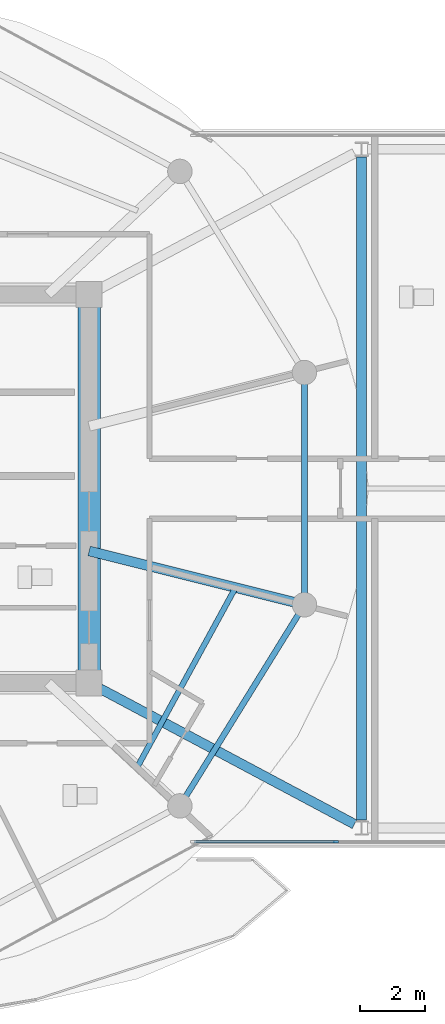
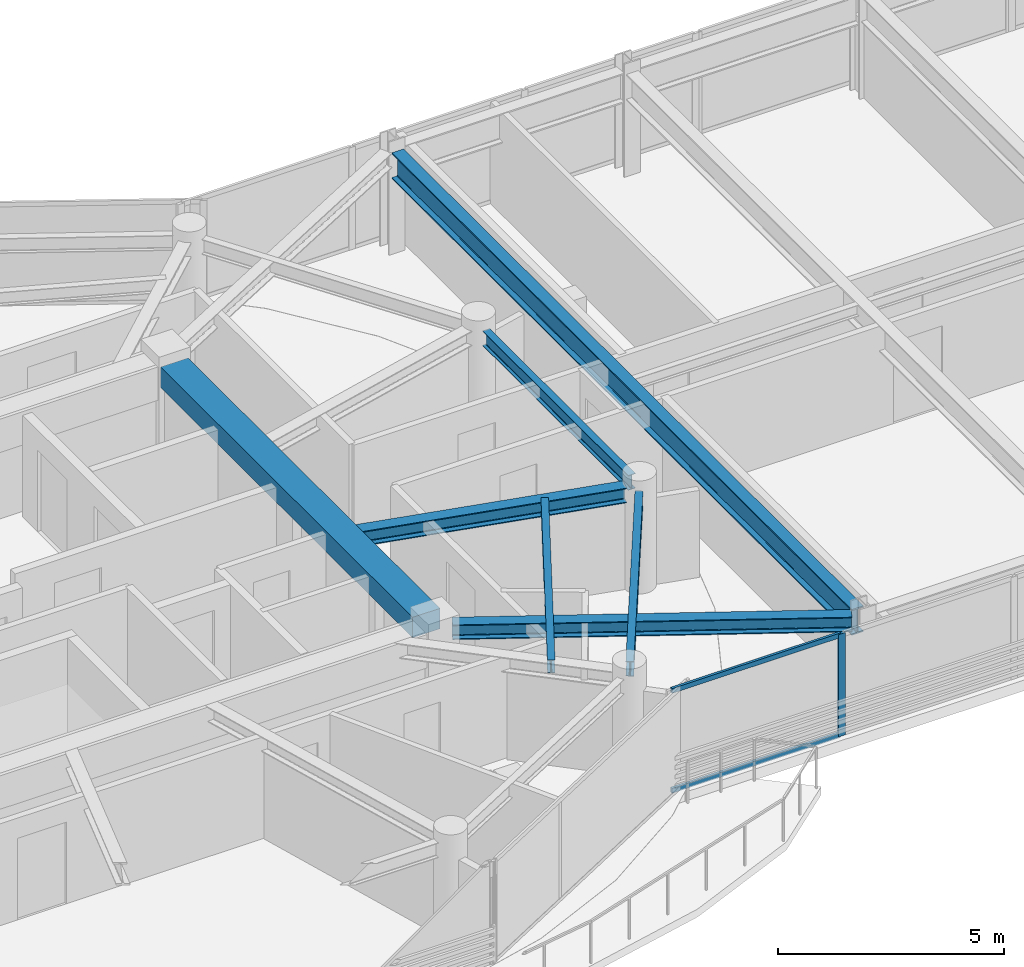
# One storey, part 4 of 24: 7 beams, 3 members, 1 element without a shape of its own.
"""IFC4 building model written with IfcOpenShell, lengths in metres."""

from ifc_helpers import new_model, si_unit, direction, frame, origin, origin_2d, place, context, subcontext, project, spatial, rectangle, i_section, extrude, source, transform, mapped, material, layer, layer_set, material_profile, profile_set, type_object, type_shapes, element, aggregate, save


model = new_model("IFC4")

# Units and contexts
model_context = context("Model", 3, precision=1e-05, world=origin(), true_north=direction((0.0, 1.0)))
body_context = subcontext(model_context, "Body", "Model", "MODEL_VIEW")
ifc_project = project(units=[si_unit("LENGTHUNIT", "METRE"), si_unit("AREAUNIT", "SQUARE_METRE"), si_unit("VOLUMEUNIT", "CUBIC_METRE"), si_unit("PLANEANGLEUNIT", "RADIAN"), si_unit("MASSUNIT", "GRAM", prefix="KILO")], contexts=[model_context])

# Site, building, storey
site_placement = place(None, origin())
site = spatial("IfcSite", under=ifc_project, at=site_placement, CompositionType="ELEMENT")
building_placement = place(site_placement, origin())
building = spatial("IfcBuilding", under=site, at=building_placement, Name="Norrkilde Senior Care Towers", CompositionType="ELEMENT")
storey_placement = place(building_placement, frame((0.0, 0.0, 226.10009765625)))
storey = spatial("IfcBuildingStorey", under=building, at=storey_placement, Name="L70", CompositionType="ELEMENT", Elevation=226.10009765625)

# Beams
ifc_material_1 = material(Name="Concrete C60/75", Category="concrete")
ifc_material_profile_1 = material_profile(ifc_material_1, rectangle(XDim=0.699951171875, YDim=0.550048828125, at=origin_2d()), Name="RC BM 700x550")
ifc_profile_set_1 = profile_set([ifc_material_profile_1], Name="Concrete C60/75")
beam_type_1 = type_object("IfcBeamType", Name="Core Portal Coupling Beam 700x550", PredefinedType="USERDEFINED", material=ifc_profile_set_1)
shared_shape_1 = source(origin(), body_context, "Body", "SweptSolid", [
    extrude(rectangle(XDim=0.699951171875, YDim=0.550048828125, at=origin_2d()), origin(), (0.0, 0.0, 1.0), 11.14013671875),
])
type_shapes(beam_type_1, [shared_shape_1])
beam_1_placement = place(storey_placement, frame((-20.35009765625, -5.570068359375, 2.48486328125), z_axis=(0.0, 1.0, 0.0), x_axis=(-1.0, 0.0, 0.0)))
element("IfcBeam", 1, at=beam_1_placement, inside=storey, type_object=beam_type_1, Name="L70 Core W E Coupling Girder", ObjectType="GIRDER", PredefinedType="USERDEFINED", context=body_context, shape_type="MappedRepresentation", body=[
    mapped(shared_shape_1, transform((0.0, 0.0, 0.0), x_axis=(1.0, 0.0, 0.0), y_axis=(0.0, 1.0, 0.0), z_axis=(0.0, 0.0, 1.0), scale=1.0)),
])
ifc_material_2 = material(Name="Steel S355", Category="steel")
ifc_material_profile_2 = material_profile(ifc_material_2, i_section(OverallWidth=0.179931640625, OverallDepth=0.39990234375, WebThickness=0.008544921875, FlangeThickness=0.013427734375, FilletRadius=0.02099609375, at=origin_2d()), Name="IPE 400")
ifc_profile_set_2 = profile_set([ifc_material_profile_2], Name="Steel S355")
beam_type_2 = type_object("IfcBeamType", Name="Perimeter Ring Spandrel Z4 IPE400", PredefinedType="SPANDREL", material=ifc_profile_set_2)
shared_shape_2 = source(origin(), body_context, "Body", "SweptSolid", [
    extrude(i_section(OverallWidth=0.179931640625, OverallDepth=0.39990234375, WebThickness=0.008544921875, FlangeThickness=0.013427734375, FilletRadius=0.02099609375, at=origin_2d()), origin(), (0.0, 0.0, 1.0), 6.58056640625),
])
beam_2_placement = place(storey_placement, frame((-17.393798828125, -9.43798828125, 2.559814453125), z_axis=(0.526529583789, 0.850156807533, 0.0), x_axis=(-0.850156807533, 0.526529583789, 0.0)))
element("IfcBeam", 2, at=beam_2_placement, inside=storey, type_object=beam_type_2, Name="L70 Drum W Perimeter Spandrel 11", PredefinedType="SPANDREL", context=body_context, shape_type="MappedRepresentation", body=[
    mapped(shared_shape_2, transform((0.0, 0.0, 0.0), x_axis=(1.0, 0.0, 0.0), y_axis=(0.0, 1.0, 0.0), z_axis=(0.0, 0.0, 1.0), scale=1.0)),
])
ifc_material_profile_3 = material_profile(ifc_material_2, i_section(OverallWidth=0.300048828125, OverallDepth=0.39990234375, WebThickness=0.013427734375, FlangeThickness=0.02392578125, FilletRadius=0.027099609375, at=origin_2d()), Name="HEB 400")
ifc_profile_set_3 = profile_set([ifc_material_profile_3], Name="Steel S355")
beam_type_3 = type_object("IfcBeamType", Name="Radial Floor Beam Z4 HEB400", PredefinedType="BEAM", material=ifc_profile_set_3)
shared_shape_3 = source(origin(), body_context, "Body", "SweptSolid", [
    extrude(i_section(OverallWidth=0.300048828125, OverallDepth=0.39990234375, WebThickness=0.013427734375, FlangeThickness=0.02392578125, FilletRadius=0.027099609375, at=origin_2d()), origin(), (0.0, 0.0, 1.0), 6.465087890625),
])
beam_3_placement = place(storey_placement, frame((-20.35009765625, -1.910888671875, 2.559814453125), z_axis=(0.970195788563, -0.242322371758, 0.0), x_axis=(0.242322371758, 0.970195788563, 0.0)))
element("IfcBeam", 3, at=beam_3_placement, inside=storey, type_object=beam_type_3, Name="L70 Drum W Radial Floor Beam 12", PredefinedType="BEAM", context=body_context, shape_type="MappedRepresentation", body=[
    mapped(shared_shape_3, transform((0.0, 0.0, 0.0), x_axis=(1.0, 0.0, 0.0), y_axis=(0.0, 1.0, 0.0), z_axis=(0.0, 0.0, 1.0), scale=1.0)),
])
shared_shape_4 = source(origin(), body_context, "Body", "SweptSolid", [
    extrude(i_section(OverallWidth=0.179931640625, OverallDepth=0.39990234375, WebThickness=0.008544921875, FlangeThickness=0.013427734375, FilletRadius=0.02099609375, at=origin_2d()), origin(), (0.0, 0.0, 1.0), 6.44775390625),
])
type_shapes(beam_type_2, [shared_shape_2, shared_shape_4])
beam_4_placement = place(storey_placement, frame((-13.752685546875, -3.223876953125, 2.559814453125), z_axis=(0.0, 1.0, 0.0), x_axis=(-1.0, 0.0, 0.0)))
element("IfcBeam", 4, at=beam_4_placement, inside=storey, type_object=beam_type_2, Name="L70 Drum W Perimeter Spandrel 12", PredefinedType="SPANDREL", context=body_context, shape_type="MappedRepresentation", body=[
    mapped(shared_shape_4, transform((0.0, 0.0, 0.0), x_axis=(1.0, 0.0, 0.0), y_axis=(0.0, 1.0, 0.0), z_axis=(0.0, 0.0, 1.0), scale=1.0)),
])
ifc_material_profile_4 = material_profile(ifc_material_2, i_section(OverallWidth=0.169921875, OverallDepth=0.360107421875, WebThickness=0.008056640625, FlangeThickness=0.0126953125, FilletRadius=0.01806640625, at=origin_2d()), Name="IPE 360")
ifc_profile_set_4 = profile_set([ifc_material_profile_4], Name="Steel S355")
beam_type_4 = type_object("IfcBeamType", Name="Secondary Floor Joist IPE360", PredefinedType="JOIST", material=ifc_profile_set_4)
shared_shape_5 = source(origin(), body_context, "Body", "SweptSolid", [
    extrude(i_section(OverallWidth=0.169921875, OverallDepth=0.360107421875, WebThickness=0.008056640625, FlangeThickness=0.0126953125, FilletRadius=0.01806640625, at=origin_2d()), origin(), (0.0, 0.0, 1.0), 6.25146484375),
])
type_shapes(beam_type_4, [shared_shape_5])
beam_5_placement = place(storey_placement, frame((-18.865234375, -8.515380859375, 2.579833984375), z_axis=(0.480115752653, 0.877205143655, 0.0), x_axis=(-0.877205143655, 0.480115752653, 0.0)))
element("IfcBeam", 5, at=beam_5_placement, inside=storey, type_object=beam_type_4, Name="L70 Drum W Secondary Floor Joist 4", PredefinedType="JOIST", context=body_context, shape_type="MappedRepresentation", body=[
    mapped(shared_shape_5, transform((0.0, 0.0, 0.0), x_axis=(1.0, 0.0, 0.0), y_axis=(0.0, 1.0, 0.0), z_axis=(0.0, 0.0, 1.0), scale=1.0)),
])
ifc_material_profile_5 = material_profile(ifc_material_2, i_section(OverallWidth=0.300048828125, OverallDepth=0.699951171875, WebThickness=0.01708984375, FlangeThickness=0.031982421875, FilletRadius=0.027099609375, at=origin_2d()), Name="HEB 700")
ifc_profile_set_5 = profile_set([ifc_material_profile_5], Name="Steel S355")
beam_type_5 = type_object("IfcBeamType", Name="Bridge Cross Girder HEB700", PredefinedType="USERDEFINED", material=ifc_profile_set_5)
shared_shape_6 = source(origin(), body_context, "Body", "SweptSolid", [
    extrude(i_section(OverallWidth=0.300048828125, OverallDepth=0.699951171875, WebThickness=0.01708984375, FlangeThickness=0.031982421875, FilletRadius=0.027099609375, at=origin_2d()), origin(), (0.0, 0.0, 1.0), 20.31982421875),
])
type_shapes(beam_type_5, [shared_shape_6])
beam_6_placement = place(storey_placement, frame((-12.0, -10.159912109375, 2.409912109375), z_axis=(0.0, 1.0, 0.0), x_axis=(-1.0, 0.0, 0.0)))
element("IfcBeam", 6, at=beam_6_placement, inside=storey, type_object=beam_type_5, Name="L70 Sky-Gate Bridge Cross Girder -12", ObjectType="GIRDER", PredefinedType="USERDEFINED", context=body_context, shape_type="MappedRepresentation", body=[
    mapped(shared_shape_6, transform((0.0, 0.0, 0.0), x_axis=(1.0, 0.0, 0.0), y_axis=(0.0, 1.0, 0.0), z_axis=(0.0, 0.0, 1.0), scale=1.0)),
])
shared_shape_7 = source(origin(), body_context, "Body", "SweptSolid", [
    extrude(i_section(OverallWidth=0.300048828125, OverallDepth=0.39990234375, WebThickness=0.013427734375, FlangeThickness=0.02392578125, FilletRadius=0.027099609375, at=origin_2d()), origin(), (0.0, 0.0, 1.0), 8.831787109375),
])
type_shapes(beam_type_3, [shared_shape_3, shared_shape_7])
beam_7_placement = place(storey_placement, frame((-20.0146484375, -6.128662109375, 2.559814453125), z_axis=(0.882492172381, -0.470327083727, 0.0), x_axis=(0.470327083727, 0.882492172381, 0.0)))
element("IfcBeam", 7, at=beam_7_placement, inside=storey, type_object=beam_type_3, Name="L70 Sky-Gate Bridge Girder S1", PredefinedType="BEAM", context=body_context, shape_type="MappedRepresentation", body=[
    mapped(shared_shape_7, transform((0.0, 0.0, 0.0), x_axis=(1.0, 0.0, 0.0), y_axis=(0.0, 1.0, 0.0), z_axis=(0.0, 0.0, 1.0), scale=1.0)),
])

# Curtain wall, members
ifc_material_3 = material(Name="Triple Low-E Insulated Glazing", Category="glass")
ifc_layer = layer(ifc_material_3, 0.2099609375)
ifc_layer_set = layer_set([ifc_layer], Name="Triple Low-E Insulated Glazing")
curtain_wall_type = type_object("IfcCurtainWallType", Name="CW5 Sky-Gate Bridge Curtain Wall", PredefinedType="NOTDEFINED", material=ifc_layer_set)
curtain_wall_placement = place(storey_placement, origin())
curtain_wall = element("IfcCurtainWall", 8, at=curtain_wall_placement, inside=storey, type_object=curtain_wall_type, Name="L70 Sky-Gate Bridge South Curtain Wall 3", PredefinedType="NOTDEFINED")
ifc_material_4 = material(Name="Anodised Aluminium", Category="aluminium")
ifc_material_profile_6 = material_profile(ifc_material_4, rectangle(XDim=0.06494140625, YDim=0.1298828125, at=origin_2d()), Name="ALU TRAN 65x130")
ifc_profile_set_6 = profile_set([ifc_material_profile_6], Name="Anodised Aluminium")
member_type_1 = type_object("IfcMemberType", Name="Curtain Wall Transom Heavy 65x130", PredefinedType="USERDEFINED", material=ifc_profile_set_6)
shared_shape_8 = source(origin(), body_context, "Body", "SweptSolid", [
    extrude(rectangle(XDim=0.06494140625, YDim=0.1298828125, at=origin_2d()), origin(), (0.0, 0.0, 1.0), 4.294921875),
])
type_shapes(member_type_1, [shared_shape_8])
member_1_placement = place(storey_placement, frame((-12.8349609375, -10.820068359375, 0.032470703125), z_axis=(-1.0, 0.0, 0.0), x_axis=(0.0, -1.0, 0.0)))
member_1 = element("IfcMember", 9, at=member_1_placement, type_object=member_type_1, Name="CW-5 transom 3.1", ObjectType="TRANSOM", PredefinedType="USERDEFINED", context=body_context, shape_type="MappedRepresentation", body=[
    mapped(shared_shape_8, transform((0.0, 0.0, 0.0), x_axis=(1.0, 0.0, 0.0), y_axis=(0.0, 1.0, 0.0), z_axis=(0.0, 0.0, 1.0), scale=1.0)),
])
member_2_placement = place(storey_placement, frame((-12.8349609375, -10.820068359375, 2.727294921875), z_axis=(-1.0, 0.0, 0.0), x_axis=(0.0, -1.0, 0.0)))
member_2 = element("IfcMember", 10, at=member_2_placement, type_object=member_type_1, Name="CW-5 transom 3.2", ObjectType="TRANSOM", PredefinedType="USERDEFINED", context=body_context, shape_type="MappedRepresentation", body=[
    mapped(shared_shape_8, transform((0.0, 0.0, 0.0), x_axis=(1.0, 0.0, 0.0), y_axis=(0.0, 1.0, 0.0), z_axis=(0.0, 0.0, 1.0), scale=1.0)),
])
ifc_material_profile_7 = material_profile(ifc_material_4, rectangle(XDim=0.070068359375, YDim=0.169921875, at=origin_2d()), Name="ALU MULL 70x170")
ifc_profile_set_7 = profile_set([ifc_material_profile_7], Name="Anodised Aluminium")
member_type_2 = type_object("IfcMemberType", Name="Curtain Wall Mullion Heavy 70x170", PredefinedType="MULLION", material=ifc_profile_set_7)
shared_shape_9 = source(origin(), body_context, "Body", "SweptSolid", [
    extrude(rectangle(XDim=0.070068359375, YDim=0.169921875, at=origin_2d()), origin(), (0.0, 0.0, 1.0), 2.760009765625),
])
type_shapes(member_type_2, [shared_shape_9])
member_3_placement = place(storey_placement, frame((-12.800048828125, -10.820068359375, 0.0), z_axis=(0.0, 0.0, 1.0), x_axis=(0.0, -1.0, 0.0)))
member_3 = element("IfcMember", 11, at=member_3_placement, type_object=member_type_2, Name="CW-5 mullion 3", PredefinedType="MULLION", context=body_context, shape_type="MappedRepresentation", body=[
    mapped(shared_shape_9, transform((0.0, 0.0, 0.0), x_axis=(1.0, 0.0, 0.0), y_axis=(0.0, 1.0, 0.0), z_axis=(0.0, 0.0, 1.0), scale=1.0)),
])
aggregate(curtain_wall, [member_3, member_1, member_2])

save(model, "model.ifc")
